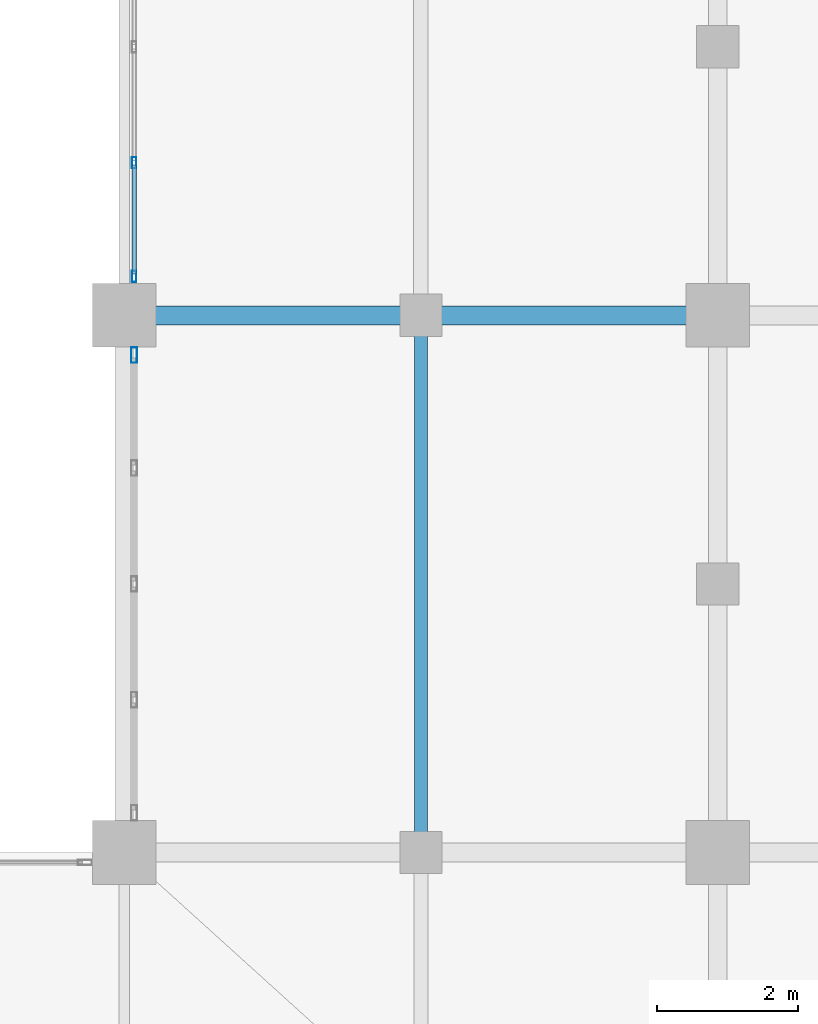
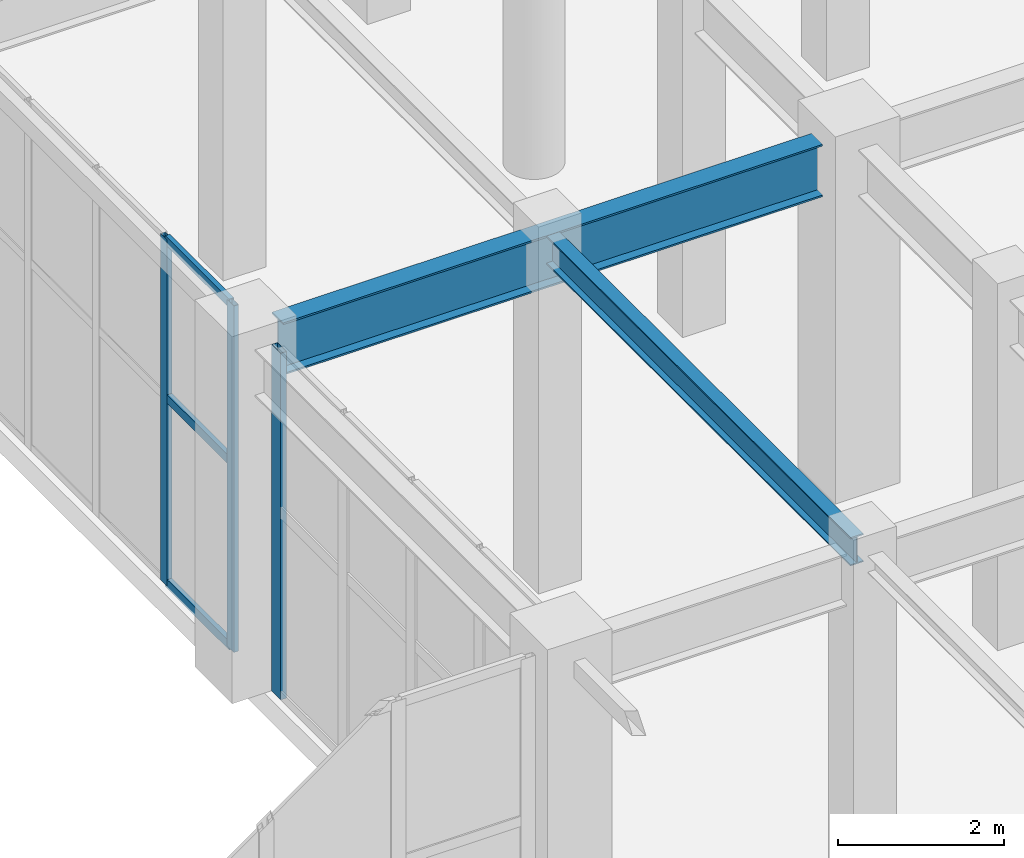
# One storey, part 25 of 139: 6 members, 2 beams, 2 elements without a shape of their own.
"""IFC4 building model written with IfcOpenShell, lengths in metres."""

from ifc_helpers import new_model, si_unit, direction, frame, origin, origin_2d, place, context, subcontext, project, spatial, hollow_rectangle, i_section, extrude, material, layer, layer_set, material_profile, profile_set, type_object, element, aggregate, save


model = new_model("IFC4")

# Units and contexts
model_context = context("Model", 3, precision=1e-05, world=origin(), true_north=direction((0.0, 1.0)))
body_context = subcontext(model_context, "Body", "Model", "MODEL_VIEW")
ifc_project = project(units=[si_unit("LENGTHUNIT", "METRE"), si_unit("AREAUNIT", "SQUARE_METRE"), si_unit("VOLUMEUNIT", "CUBIC_METRE"), si_unit("PLANEANGLEUNIT", "RADIAN"), si_unit("MASSUNIT", "GRAM", prefix="KILO")], contexts=[model_context])

# Site, building, storey
site_placement = place(None, origin())
site = spatial("IfcSite", under=ifc_project, at=site_placement, CompositionType="ELEMENT")
building_placement = place(site_placement, origin())
building = spatial("IfcBuilding", under=site, at=building_placement, Name="Xicomal Pleat Aquarium", CompositionType="ELEMENT")
storey_placement = place(building_placement, origin())
storey = spatial("IfcBuildingStorey", under=building, at=storey_placement, Name="L01", CompositionType="ELEMENT", Elevation=0.0)

# Beams
ifc_material_1 = material(Name="Structural steel A992 Gr 50", Category="steel")
ifc_material_profile_1 = material_profile(ifc_material_1, i_section(OverallWidth=0.180908203125, OverallDepth=0.4169921875, WebThickness=0.010986328125, FlangeThickness=0.018310546875, at=origin_2d()), Name="IR 410x85")
ifc_profile_set_1 = profile_set([ifc_material_profile_1], Name="Structural steel A992 Gr 50")
beam_type_1 = type_object("IfcBeamType", Name="BM-STL-IR410", PredefinedType="JOIST", material=ifc_profile_set_1)
beam_1_placement = place(storey_placement, frame((48.0, 38.136962890625, 4.8916015625), z_axis=(0.0, 1.0, 0.0), x_axis=(-1.0, 0.0, 0.0)))
element("IfcBeam", 1, at=beam_1_placement, inside=storey, type_object=beam_type_1, Name="L01 framing beam FBJ-L01-06-F-1", PredefinedType="JOIST", context=body_context, shape_type="SweptSolid", body=[
    extrude(i_section(OverallWidth=0.180908203125, OverallDepth=0.4169921875, WebThickness=0.010986328125, FlangeThickness=0.018310546875, at=origin_2d()), origin(), (0.0, 0.0, 1.0), 7.325927734375),
])
ifc_material_2 = material(Name="Structural steel A992 Gr 50", Category="steel")
ifc_material_profile_2 = material_profile(ifc_material_2, i_section(OverallWidth=0.26806640625, OverallDepth=0.77001953125, WebThickness=0.015625, FlangeThickness=0.025390625, at=origin_2d()), Name="IR 760x196")
ifc_profile_set_2 = profile_set([ifc_material_profile_2], Name="Structural steel A992 Gr 50")
beam_type_2 = type_object("IfcBeamType", Name="BM-STL-IR760", PredefinedType="BEAM", material=ifc_profile_set_2)
beam_2_placement = place(storey_placement, frame((44.2451171875, 45.60009765625, 4.715087890625), z_axis=(1.0, 0.0, 0.0), x_axis=(0.0, 1.0, 0.0)))
element("IfcBeam", 2, at=beam_2_placement, inside=storey, type_object=beam_type_2, Name="L01 framing beam FGX-L01-06-07-G", PredefinedType="BEAM", context=body_context, shape_type="SweptSolid", body=[
    extrude(i_section(OverallWidth=0.26806640625, OverallDepth=0.77001953125, WebThickness=0.015625, FlangeThickness=0.025390625, at=origin_2d()), origin(), (0.0, 0.0, 1.0), 7.509765625),
])

# Curtain wall, members
ifc_material_3 = material(Name="Bronze anodized aluminium 6063-T6", Category="aluminium")
ifc_layer_1 = layer(ifc_material_3, 0.159912109375)
ifc_layer_set_1 = layer_set([ifc_layer_1], Name="Bronze anodized aluminium 6063-T6")
curtain_wall_type_1 = type_object("IfcCurtainWallType", Name="CW-SYS-01", PredefinedType="NOTDEFINED", material=ifc_layer_set_1)
curtain_wall_1_placement = place(storey_placement, origin())
curtain_wall_1 = element("IfcCurtainWall", 3, at=curtain_wall_1_placement, inside=storey, type_object=curtain_wall_type_1, Name="L01 unitised curtain wall CW-L01-030", PredefinedType="NOTDEFINED")
ifc_material_4 = material(Name="Bronze anodized aluminium 6063-T6", Category="aluminium")
ifc_material_profile_3 = material_profile(ifc_material_4, hollow_rectangle(XDim=0.06494140625, YDim=0.159912109375, WallThickness=0.00390625, at=origin_2d()), Name="ALU MULL 65x160")
ifc_profile_set_3 = profile_set([ifc_material_profile_3], Name="Bronze anodized aluminium 6063-T6")
member_type_1 = type_object("IfcMemberType", Name="CWM-65x160", PredefinedType="MULLION", material=ifc_profile_set_3)
member_1_placement = place(storey_placement, frame((43.93994140625, 46.152587890625, 0.0), z_axis=(0.0, 0.0, 1.0), x_axis=(-1.0, 0.0, 0.0)))
member_1 = element("IfcMember", 4, at=member_1_placement, type_object=member_type_1, Name="CW-01 mullion 1", PredefinedType="MULLION", context=body_context, shape_type="SweptSolid", body=[
    extrude(hollow_rectangle(XDim=0.06494140625, YDim=0.159912109375, WallThickness=0.00390625, at=origin_2d()), origin(), (0.0, 0.0, 1.0), 5.10009765625),
])
member_2_placement = place(storey_placement, frame((43.93994140625, 47.760009765625, 0.0), z_axis=(0.0, 0.0, 1.0), x_axis=(-1.0, 0.0, 0.0)))
member_2 = element("IfcMember", 5, at=member_2_placement, type_object=member_type_1, Name="CW-01 mullion 2", PredefinedType="MULLION", context=body_context, shape_type="SweptSolid", body=[
    extrude(hollow_rectangle(XDim=0.06494140625, YDim=0.159912109375, WallThickness=0.00390625, at=origin_2d()), origin(), (0.0, 0.0, 1.0), 5.10009765625),
])

# Curtain wall, member
ifc_material_5 = material(Name="Bronze anodized aluminium 6063-T6", Category="aluminium")
ifc_layer_2 = layer(ifc_material_5, 0.159912109375)
ifc_layer_set_2 = layer_set([ifc_layer_2], Name="Bronze anodized aluminium 6063-T6")
curtain_wall_type_2 = type_object("IfcCurtainWallType", Name="CW-SYS-11", PredefinedType="NOTDEFINED", material=ifc_layer_set_2)
curtain_wall_2_placement = place(storey_placement, origin())
curtain_wall_2 = element("IfcCurtainWall", 6, at=curtain_wall_2_placement, inside=storey, type_object=curtain_wall_type_2, Name="L01 unitised curtain wall CW-L01-029", PredefinedType="NOTDEFINED")
ifc_material_6 = material(Name="Bronze anodized aluminium 6063-T6", Category="aluminium")
ifc_material_profile_4 = material_profile(ifc_material_6, hollow_rectangle(XDim=0.0849609375, YDim=0.219970703125, WallThickness=0.0048828125, at=origin_2d()), Name="ALU MULL 85x220")
ifc_profile_set_4 = profile_set([ifc_material_profile_4], Name="Bronze anodized aluminium 6063-T6")
member_type_2 = type_object("IfcMemberType", Name="CWM-85x220", PredefinedType="MULLION", material=ifc_profile_set_4)
member_3_placement = place(storey_placement, frame((43.93994140625, 45.03759765625, 0.0), z_axis=(0.0, 0.0, 1.0), x_axis=(-1.0, 0.0, 0.0)))
member_3 = element("IfcMember", 7, at=member_3_placement, type_object=member_type_2, Name="CW-11 mullion 5", PredefinedType="MULLION", context=body_context, shape_type="SweptSolid", body=[
    extrude(hollow_rectangle(XDim=0.0849609375, YDim=0.219970703125, WallThickness=0.0048828125, at=origin_2d()), origin(), (0.0, 0.0, 1.0), 5.10009765625),
])
aggregate(curtain_wall_2, [member_3])

# Member
ifc_material_7 = material(Name="Bronze anodized aluminium 6063-T6", Category="aluminium")
ifc_material_profile_5 = material_profile(ifc_material_7, hollow_rectangle(XDim=0.06494140625, YDim=0.1298828125, WallThickness=0.00390625, at=origin_2d()), Name="ALU TRAN 65x130")
ifc_profile_set_5 = profile_set([ifc_material_profile_5], Name="Bronze anodized aluminium 6063-T6")
member_type_3 = type_object("IfcMemberType", Name="CWT-65x130", PredefinedType="USERDEFINED", material=ifc_profile_set_5)
member_4_placement = place(storey_placement, frame((43.93994140625, 46.18505859375, 0.032470703125), z_axis=(0.0, 1.0, 0.0), x_axis=(-1.0, 0.0, 0.0)))
member_4 = element("IfcMember", 8, at=member_4_placement, type_object=member_type_3, Name="CW-01 transom 1.1", ObjectType="TRANSOM", PredefinedType="USERDEFINED", context=body_context, shape_type="SweptSolid", body=[
    extrude(hollow_rectangle(XDim=0.06494140625, YDim=0.1298828125, WallThickness=0.00390625, at=origin_2d()), origin(), (0.0, 0.0, 1.0), 1.54248046875),
])

member_5_placement = place(storey_placement, frame((43.93994140625, 46.18505859375, 2.75390625), z_axis=(0.0, 1.0, 0.0), x_axis=(-1.0, 0.0, 0.0)))
member_5 = element("IfcMember", 9, at=member_5_placement, type_object=member_type_3, Name="CW-01 transom 1.2", ObjectType="TRANSOM", PredefinedType="USERDEFINED", context=body_context, shape_type="SweptSolid", body=[
    extrude(hollow_rectangle(XDim=0.06494140625, YDim=0.1298828125, WallThickness=0.00390625, at=origin_2d()), origin(), (0.0, 0.0, 1.0), 1.54248046875),
])

member_6_placement = place(storey_placement, frame((43.93994140625, 46.18505859375, 5.0673828125), z_axis=(0.0, 1.0, 0.0), x_axis=(-1.0, 0.0, 0.0)))
member_6 = element("IfcMember", 10, at=member_6_placement, type_object=member_type_3, Name="CW-01 transom 1.3", ObjectType="TRANSOM", PredefinedType="USERDEFINED", context=body_context, shape_type="SweptSolid", body=[
    extrude(hollow_rectangle(XDim=0.06494140625, YDim=0.1298828125, WallThickness=0.00390625, at=origin_2d()), origin(), (0.0, 0.0, 1.0), 1.54248046875),
])

aggregate(curtain_wall_1, [member_1, member_2, member_4, member_5, member_6])

save(model, "model.ifc")
